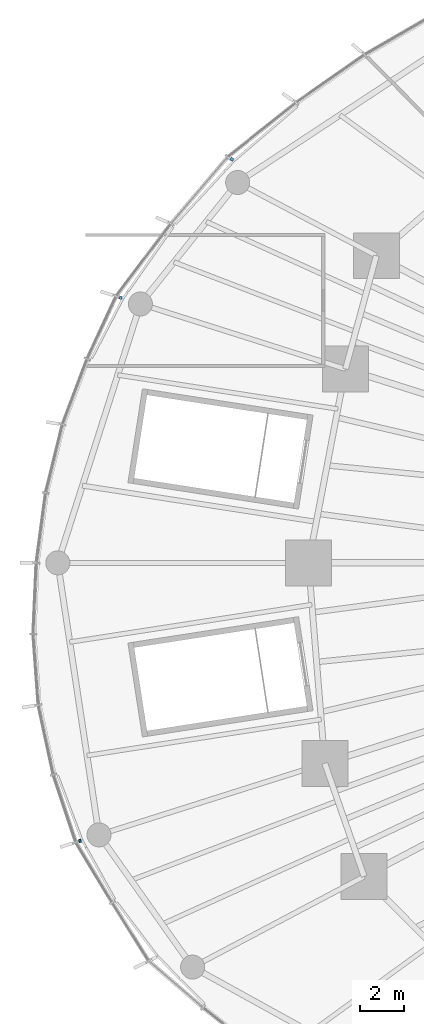
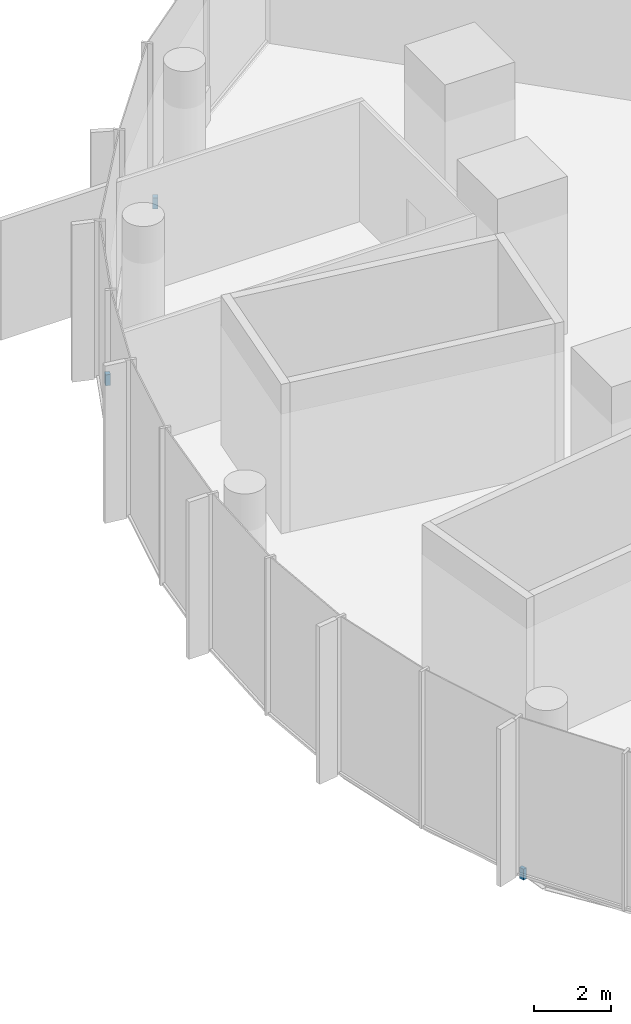
# One storey, part 17 of 27: 3 discrete accessories.
"""IFC4 building model written with IfcOpenShell, lengths in metres."""

from ifc_helpers import new_model, si_unit, direction, frame, origin, origin_2d, place, context, subcontext, project, spatial, rectangle, extrude, material, type_object, element, save


model = new_model("IFC4")

# Units and contexts
model_context = context("Model", 3, precision=1e-05, world=origin(), true_north=direction((0.0, 1.0)))
body_context = subcontext(model_context, "Body", "Model", "MODEL_VIEW")
ifc_project = project(units=[si_unit("LENGTHUNIT", "METRE"), si_unit("AREAUNIT", "SQUARE_METRE"), si_unit("VOLUMEUNIT", "CUBIC_METRE"), si_unit("PLANEANGLEUNIT", "RADIAN"), si_unit("MASSUNIT", "GRAM", prefix="KILO")], contexts=[model_context])

# Site, building, storey
site_placement = place(None, origin())
site = spatial("IfcSite", under=ifc_project, at=site_placement, CompositionType="ELEMENT")
building_placement = place(site_placement, origin())
building = spatial("IfcBuilding", under=site, at=building_placement, Name="Ghaith Harvest Tower", CompositionType="ELEMENT")
storey_placement = place(building_placement, frame((0.0, 0.0, 10.0)))
storey = spatial("IfcBuildingStorey", under=building, at=storey_placement, Name="L02", CompositionType="ELEMENT", Elevation=10.0)

# Discrete accessories
ifc_material_1 = material(Name="Stainless steel grade 1.4401", Category="steel")
discrete_accessory_type_1 = type_object("IfcDiscreteAccessoryType", Name="CURTAIN WALL BRACKET 105", PredefinedType="BRACKET", material=ifc_material_1)
discrete_accessory_1_placement = place(storey_placement, frame((-40.1279296875, -12.71728515625, -0.25), z_axis=(0.0, 0.0, 1.0), x_axis=(-0.953273219416, -0.302109531701, 0.0)))
element("IfcDiscreteAccessory", 1, at=discrete_accessory_1_placement, inside=storey, type_object=discrete_accessory_type_1, Name="CW-P bracket 1 bay 12 L02", PredefinedType="BRACKET", context=body_context, shape_type="SweptSolid", body=[
    extrude(rectangle(XDim=0.10498046875, YDim=0.14990234375, at=origin_2d()), origin(), (0.0, 0.0, 1.0), 0.35009765625),
])
ifc_material_2 = material(Name="Stainless steel grade 1.4401", Category="steel")
discrete_accessory_type_2 = type_object("IfcDiscreteAccessoryType", Name="CURTAIN WALL BRACKET 135", PredefinedType="BRACKET", material=ifc_material_2)
discrete_accessory_2_placement = place(storey_placement, frame((-38.2724609375, 12.129150390625, -0.25), z_axis=(0.0, 0.0, 1.0), x_axis=(-0.953273219358, 0.302109531884, 0.0)))
element("IfcDiscreteAccessory", 2, at=discrete_accessory_2_placement, inside=storey, type_object=discrete_accessory_type_2, Name="CW-P bracket 1 bay 10 L02", PredefinedType="BRACKET", context=body_context, shape_type="SweptSolid", body=[
    extrude(rectangle(XDim=0.135009765625, YDim=0.14990234375, at=origin_2d()), origin(), (0.0, 0.0, 1.0), 0.35009765625),
])
ifc_material_3 = material(Name="Stainless steel grade 1.4401", Category="steel")
discrete_accessory_type_3 = type_object("IfcDiscreteAccessoryType", Name="CURTAIN WALL BRACKET 145", PredefinedType="BRACKET", material=ifc_material_3)
discrete_accessory_3_placement = place(storey_placement, frame((-33.18359375, 18.455810546875, -0.25), z_axis=(0.0, 0.0, 1.0), x_axis=(-0.873926916005, 0.486057347935, 0.0)))
element("IfcDiscreteAccessory", 3, at=discrete_accessory_3_placement, inside=storey, type_object=discrete_accessory_type_3, Name="CW-P bracket 2 bay 09 L02", PredefinedType="BRACKET", context=body_context, shape_type="SweptSolid", body=[
    extrude(rectangle(XDim=0.14501953125, YDim=0.14990234375, at=origin_2d()), origin(), (0.0, 0.0, 1.0), 0.35009765625),
])

save(model, "model.ifc")
